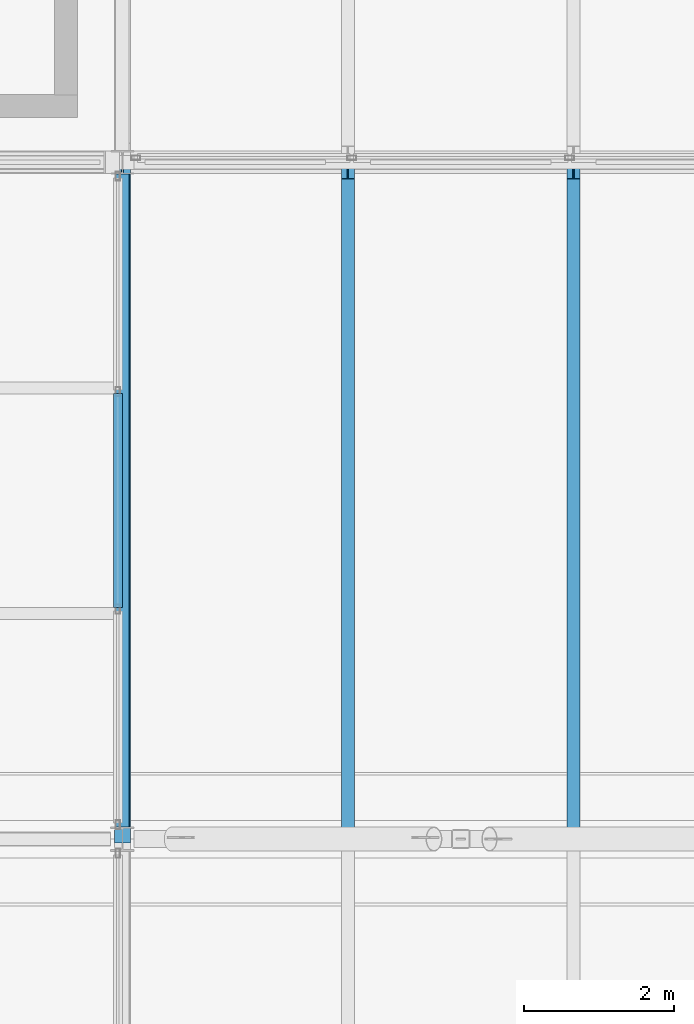
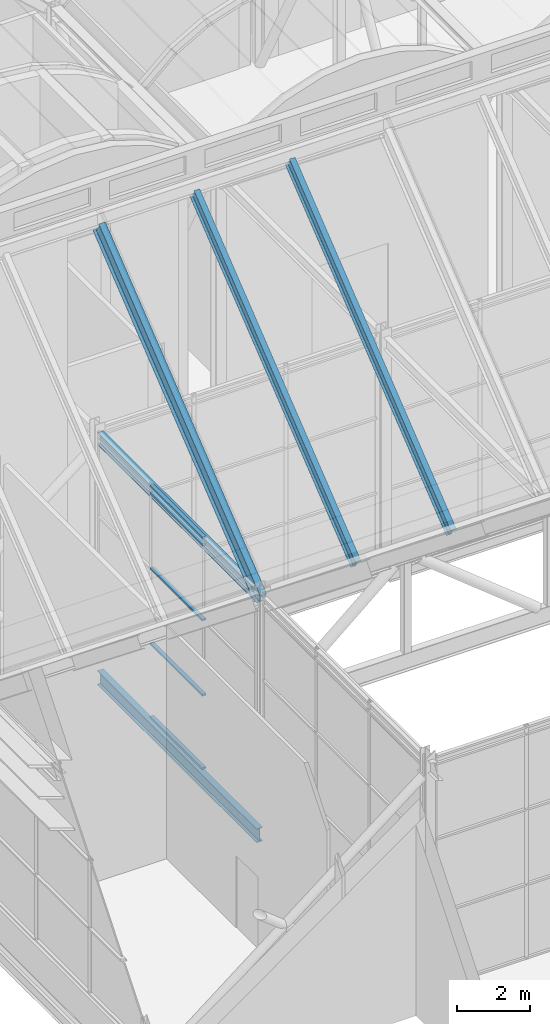
# One storey, part 38 of 144: 8 members, 2 beams, 1 element without a shape of its own.
"""IFC4 building model written with IfcOpenShell, lengths in metres."""

from ifc_helpers import new_model, si_unit, direction, frame, origin, origin_2d, place, context, subcontext, project, spatial, hollow_rectangle, i_section, extrude, material, layer, layer_set, material_profile, profile_set, type_object, element, aggregate, save


model = new_model("IFC4")

# Units and contexts
model_context = context("Model", 3, precision=1e-05, world=origin(), true_north=direction((0.0, 1.0)))
body_context = subcontext(model_context, "Body", "Model", "MODEL_VIEW")
ifc_project = project(units=[si_unit("LENGTHUNIT", "METRE"), si_unit("AREAUNIT", "SQUARE_METRE"), si_unit("VOLUMEUNIT", "CUBIC_METRE"), si_unit("PLANEANGLEUNIT", "RADIAN"), si_unit("MASSUNIT", "GRAM", prefix="KILO")], contexts=[model_context])

# Site, building, storey
site_placement = place(None, origin())
site = spatial("IfcSite", under=ifc_project, at=site_placement, CompositionType="ELEMENT")
building_placement = place(site_placement, origin())
building = spatial("IfcBuilding", under=site, at=building_placement, Name="Shorebreak Coast Museum", CompositionType="ELEMENT")
storey_placement = place(building_placement, frame((0.0, 0.0, 36.0)))
storey = spatial("IfcBuildingStorey", under=building, at=storey_placement, Name="L06", CompositionType="ELEMENT", Elevation=36.0)

# Beam
ifc_material_1 = material(Name="Steel Grade 300", Category="steel")
ifc_material_profile_1 = material_profile(ifc_material_1, i_section(OverallWidth=0.19091796875, OverallDepth=0.46044921875, WebThickness=0.010009765625, FlangeThickness=0.01611328125, FilletRadius=0.011474609375, at=origin_2d()), Name="460UB82.1")
ifc_profile_set_1 = profile_set([ifc_material_profile_1], Name="Steel Grade 300")
beam_type_1 = type_object("IfcBeamType", Name="Floor girder north-south 460UB82.1", PredefinedType="BEAM", material=ifc_profile_set_1)
beam_1_placement = place(storey_placement, frame((63.0, 72.16357421875, -0.4052734375), z_axis=(0.0, 1.0, 0.0), x_axis=(-1.0, 0.0, 0.0)))
element("IfcBeam", 1, at=beam_1_placement, inside=storey, type_object=beam_type_1, Name="Floor girder north-south L06 8J", PredefinedType="BEAM", context=body_context, shape_type="SweptSolid", body=[
    extrude(i_section(OverallWidth=0.19091796875, OverallDepth=0.46044921875, WebThickness=0.010009765625, FlangeThickness=0.01611328125, FilletRadius=0.011474609375, at=origin_2d()), origin(), (0.0, 0.0, 1.0), 8.67919921875),
])

# Members
ifc_material_2 = material(Name="Steel Grade 300", Category="steel")
ifc_material_profile_2 = material_profile(ifc_material_2, i_section(OverallWidth=0.177978515625, OverallDepth=0.402587890625, WebThickness=0.007568359375, FlangeThickness=0.010986328125, FilletRadius=0.011474609375, at=origin_2d()), Name="410UB53.7")
ifc_profile_set_2 = profile_set([ifc_material_profile_2], Name="Steel Grade 300")
member_type_1 = type_object("IfcMemberType", Name="Fold rafter 410UB53.7", PredefinedType="RAFTER", material=ifc_profile_set_2)
for number, where, z_axis, x_axis, name in (
    (2, (66.0, 80.905029296875, 14.610107421875), (0.0, -0.780866693621, -0.624697692322), (1.0, 0.0, 0.0), "Fold rafter FOLD-X line 3 05"),
    (3, (69.0, 80.905029296875, 14.610107421875), (0.0, -0.780866693621, -0.624697692322), (1.0, 0.0, 0.0), "Fold rafter FOLD-X line 3 06"),
):
    element("IfcMember", number, at=place(storey_placement, frame(where, z_axis=z_axis, x_axis=x_axis)), inside=storey, type_object=member_type_1, Name=name, PredefinedType="RAFTER", context=body_context, shape_type="SweptSolid", body=[
        extrude(i_section(OverallWidth=0.177978515625, OverallDepth=0.402587890625, WebThickness=0.007568359375, FlangeThickness=0.010986328125, FilletRadius=0.011474609375, at=origin_2d()), origin(), (0.0, 0.0, 1.0), 11.25732421875),
    ])
ifc_material_3 = material(Name="Steel Grade 300", Category="steel")
ifc_material_profile_3 = material_profile(ifc_material_3, i_section(OverallWidth=0.208984375, OverallDepth=0.5283203125, WebThickness=0.009521484375, FlangeThickness=0.01318359375, FilletRadius=0.013916015625, at=origin_2d()), Name="530UB82.0")
ifc_profile_set_3 = profile_set([ifc_material_profile_3], Name="Steel Grade 300")
member_type_2 = type_object("IfcMemberType", Name="Fold rib rafter 530UB82.0", PredefinedType="RAFTER", material=ifc_profile_set_3)
member_1_placement = place(storey_placement, frame((63.0, 80.905029296875, 14.52978515625), z_axis=(0.0, -0.780866693621, -0.624697692322), x_axis=(1.0, 0.0, 0.0)))
element("IfcMember", 4, at=member_1_placement, inside=storey, type_object=member_type_2, Name="Fold rib rafter FOLD-X line 3 04", PredefinedType="RAFTER", context=body_context, shape_type="SweptSolid", body=[
    extrude(i_section(OverallWidth=0.208984375, OverallDepth=0.5283203125, WebThickness=0.009521484375, FlangeThickness=0.01318359375, FilletRadius=0.013916015625, at=origin_2d()), origin(), (0.0, 0.0, 1.0), 11.25732421875),
])

# Beam
ifc_material_4 = material(Name="Steel Grade 300", Category="steel")
ifc_material_profile_4 = material_profile(ifc_material_4, i_section(OverallWidth=0.177978515625, OverallDepth=0.402587890625, WebThickness=0.007568359375, FlangeThickness=0.010986328125, FilletRadius=0.011474609375, at=origin_2d()), Name="410UB53.7")
ifc_profile_set_4 = profile_set([ifc_material_profile_4], Name="Steel Grade 300")
beam_type_2 = type_object("IfcBeamType", Name="Fold rib tie 410UB53.7", PredefinedType="BEAM", material=ifc_profile_set_4)
beam_2_placement = place(storey_placement, frame((63.0, 72.16357421875, 7.54248046875), z_axis=(0.0, 1.0, 0.0), x_axis=(-1.0, 0.0, 0.0)))
element("IfcBeam", 5, at=beam_2_placement, inside=storey, type_object=beam_type_2, Name="Fold rib tie FOLD-X rib 8 J-K", PredefinedType="BEAM", context=body_context, shape_type="SweptSolid", body=[
    extrude(i_section(OverallWidth=0.177978515625, OverallDepth=0.402587890625, WebThickness=0.007568359375, FlangeThickness=0.010986328125, FilletRadius=0.011474609375, at=origin_2d()), origin(), (0.0, 0.0, 1.0), 8.67919921875),
])

# Curtain wall, members
ifc_material_5 = material(Name="Aluminium", Category="aluminium")
ifc_layer = layer(ifc_material_5, 0.1201171875)
ifc_layer_set = layer_set([ifc_layer], Name="Aluminium")
curtain_wall_type = type_object("IfcCurtainWallType", Name="Atrium fire screen", PredefinedType="NOTDEFINED", material=ifc_layer_set)
curtain_wall_placement = place(storey_placement, origin())
curtain_wall = element("IfcCurtainWall", 6, at=curtain_wall_placement, inside=storey, type_object=curtain_wall_type, Name="Atrium screen L06 W 90", PredefinedType="NOTDEFINED")
ifc_material_6 = material(Name="Aluminium", Category="aluminium")
ifc_material_profile_5 = material_profile(ifc_material_6, hollow_rectangle(XDim=0.1201171875, YDim=0.06005859375, WallThickness=0.00341796875, at=origin_2d()), Name="AL 60x120 RHS")
ifc_profile_set_5 = profile_set([ifc_material_profile_5], Name="Aluminium")
member_type_3 = type_object("IfcMemberType", Name="Screen transom 120 x 50", PredefinedType="USERDEFINED", material=ifc_profile_set_5)
member_2_placement = place(storey_placement, frame((62.93994140625, 75.08154296875, 0.06005859375), z_axis=(0.0, 1.0, 0.0), x_axis=(-1.0, 0.0, 0.0)))
member_2 = element("IfcMember", 7, at=member_2_placement, type_object=member_type_3, Name="CW4 transom 2.1", ObjectType="TRANSOM", PredefinedType="USERDEFINED", context=body_context, shape_type="SweptSolid", body=[
    extrude(hollow_rectangle(XDim=0.1201171875, YDim=0.06005859375, WallThickness=0.00341796875, at=origin_2d()), origin(), (0.0, 0.0, 1.0), 2.843017578125),
])
member_3_placement = place(storey_placement, frame((62.93994140625, 75.08154296875, 2.5), z_axis=(0.0, 1.0, 0.0), x_axis=(-1.0, 0.0, 0.0)))
member_3 = element("IfcMember", 8, at=member_3_placement, type_object=member_type_3, Name="CW4 transom 2.2", ObjectType="TRANSOM", PredefinedType="USERDEFINED", context=body_context, shape_type="SweptSolid", body=[
    extrude(hollow_rectangle(XDim=0.1201171875, YDim=0.06005859375, WallThickness=0.00341796875, at=origin_2d()), origin(), (0.0, 0.0, 1.0), 2.843017578125),
])
member_4_placement = place(storey_placement, frame((62.93994140625, 75.08154296875, 5.0), z_axis=(0.0, 1.0, 0.0), x_axis=(-1.0, 0.0, 0.0)))
member_4 = element("IfcMember", 9, at=member_4_placement, type_object=member_type_3, Name="CW4 transom 2.3", ObjectType="TRANSOM", PredefinedType="USERDEFINED", context=body_context, shape_type="SweptSolid", body=[
    extrude(hollow_rectangle(XDim=0.1201171875, YDim=0.06005859375, WallThickness=0.00341796875, at=origin_2d()), origin(), (0.0, 0.0, 1.0), 2.843017578125),
])
member_5_placement = place(storey_placement, frame((62.93994140625, 75.08154296875, 7.5), z_axis=(0.0, 1.0, 0.0), x_axis=(-1.0, 0.0, 0.0)))
member_5 = element("IfcMember", 10, at=member_5_placement, type_object=member_type_3, Name="CW4 transom 2.4", ObjectType="TRANSOM", PredefinedType="USERDEFINED", context=body_context, shape_type="SweptSolid", body=[
    extrude(hollow_rectangle(XDim=0.1201171875, YDim=0.06005859375, WallThickness=0.00341796875, at=origin_2d()), origin(), (0.0, 0.0, 1.0), 2.843017578125),
])
member_6_placement = place(storey_placement, frame((62.93994140625, 75.08154296875, 7.739990234375), z_axis=(0.0, 1.0, 0.0), x_axis=(-1.0, 0.0, 0.0)))
member_6 = element("IfcMember", 11, at=member_6_placement, type_object=member_type_3, Name="CW4 transom 2.5", ObjectType="TRANSOM", PredefinedType="USERDEFINED", context=body_context, shape_type="SweptSolid", body=[
    extrude(hollow_rectangle(XDim=0.1201171875, YDim=0.06005859375, WallThickness=0.00341796875, at=origin_2d()), origin(), (0.0, 0.0, 1.0), 2.843017578125),
])
aggregate(curtain_wall, [member_2, member_3, member_4, member_5, member_6])

save(model, "model.ifc")
